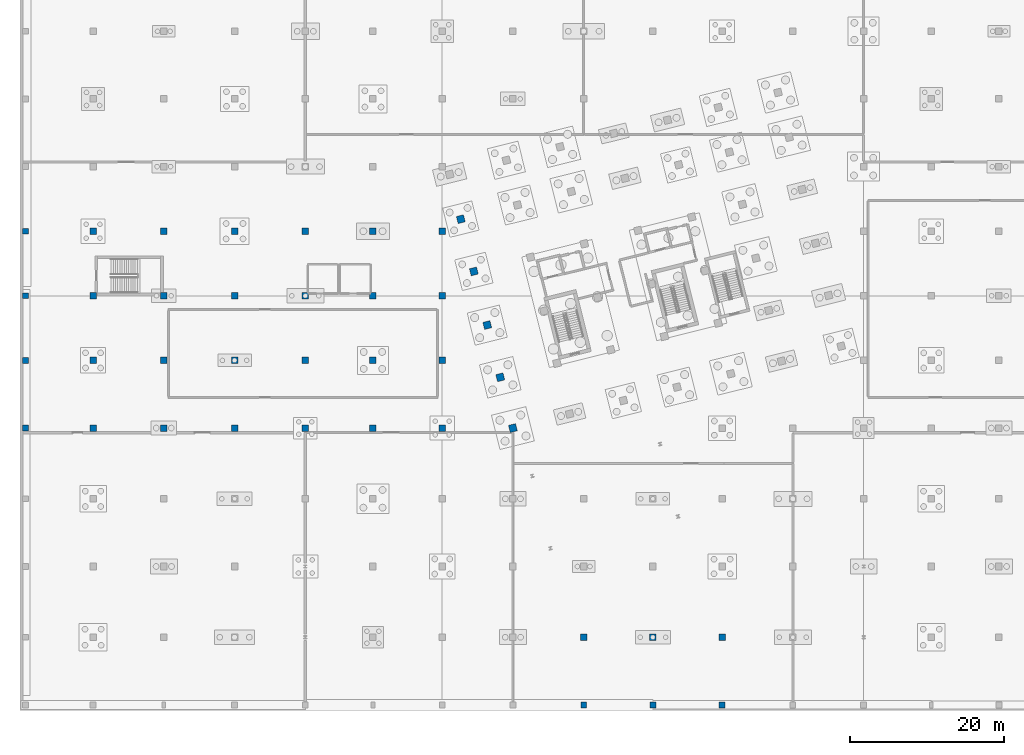
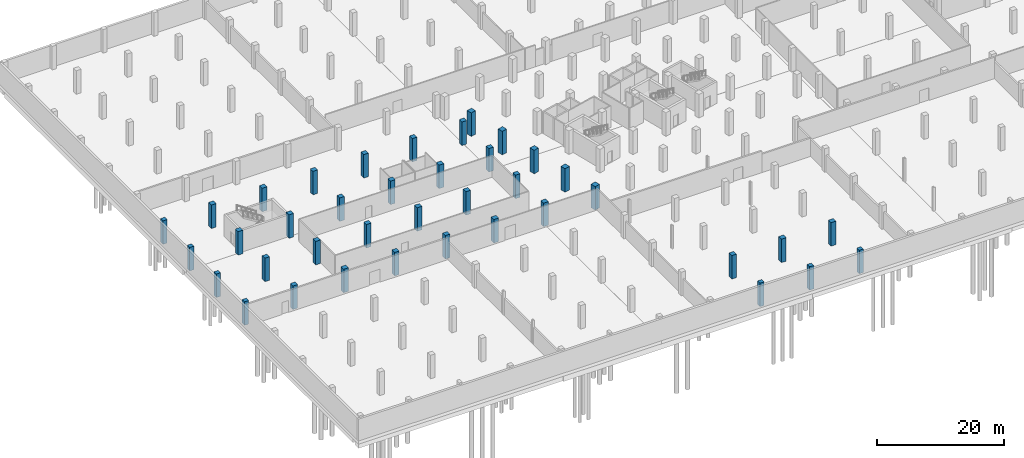
# One storey, part 8 of 29: 39 columns.
"""IFC4 building model written with IfcOpenShell, lengths in metres."""

from ifc_helpers import new_model, si_unit, direction, frame, origin, origin_2d, place, context, subcontext, project, spatial, rectangle, extrude, material, material_profile, profile_set, type_object, element, save


model = new_model("IFC4")

# Units and contexts
model_context = context("Model", 3, precision=1e-05, world=origin(), true_north=direction((0.0, 1.0)))
body_context = subcontext(model_context, "Body", "Model", "MODEL_VIEW")
ifc_project = project(units=[si_unit("LENGTHUNIT", "METRE"), si_unit("AREAUNIT", "SQUARE_METRE"), si_unit("VOLUMEUNIT", "CUBIC_METRE"), si_unit("PLANEANGLEUNIT", "RADIAN"), si_unit("MASSUNIT", "GRAM", prefix="KILO")], contexts=[model_context])

# Site, building, storey
site_placement = place(None, origin())
site = spatial("IfcSite", under=ifc_project, at=site_placement, CompositionType="ELEMENT")
building_placement = place(site_placement, origin())
building = spatial("IfcBuilding", under=site, at=building_placement, Name="Meriwether Solvik Hall", CompositionType="ELEMENT")
storey_placement = place(building_placement, frame((0.0, 0.0, -9.0)))
storey = spatial("IfcBuildingStorey", under=building, at=storey_placement, Name="B02", CompositionType="ELEMENT", Elevation=-9.0)

# Columns
ifc_material_1 = material(Name="Concrete C40/50", Category="concrete")
ifc_material_profile_1 = material_profile(ifc_material_1, rectangle(XDim=0.75, YDim=0.75, at=origin_2d()), Name="RCC-750X750")
ifc_profile_set_1 = profile_set([ifc_material_profile_1], Name="Concrete C40/50")
column_type_1 = type_object("IfcColumnType", Name="COL-RC-750", PredefinedType="COLUMN", material=ifc_profile_set_1)
for number, where, z_axis, x_axis, name in (
    (1, (5.199951171875, 41.199951171875, 0.0), (0.0, 0.0, 1.0), (1.0, 0.0, 0.0), "Podium Column 1/E (B02)"),
    (2, (5.199951171875, 50.0, 0.0), (0.0, 0.0, 1.0), (1.0, 0.0, 0.0), "Podium Column 1/F (B02)"),
    (3, (5.199951171875, 58.39990234375, 0.0), (0.0, 0.0, 1.0), (1.0, 0.0, 0.0), "Podium Column 1/G (B02)"),
    (4, (5.199951171875, 66.800048828125, 0.0), (0.0, 0.0, 1.0), (1.0, 0.0, 0.0), "Podium Column 1/H (B02)"),
    (5, (77.800048828125, 5.199951171875, 0.0), (0.0, 0.0, 1.0), (1.0, 0.0, 0.0), "Podium Column 9/A (B02)"),
    (6, (86.800048828125, 5.199951171875, 0.0), (0.0, 0.0, 1.0), (1.0, 0.0, 0.0), "Podium Column 10/A (B02)"),
    (7, (95.800048828125, 5.199951171875, 0.0), (0.0, 0.0, 1.0), (1.0, 0.0, 0.0), "Podium Column 11/A (B02)"),
):
    element("IfcColumn", number, at=place(storey_placement, frame(where, z_axis=z_axis, x_axis=x_axis)), inside=storey, type_object=column_type_1, Name=name, PredefinedType="COLUMN", context=body_context, shape_type="SweptSolid", body=[
        extrude(rectangle(XDim=0.75, YDim=0.75, at=origin_2d()), origin(), (0.0, 0.0, 1.0), 4.5),
    ])
ifc_material_2 = material(Name="Concrete C40/50", Category="concrete")
ifc_material_profile_2 = material_profile(ifc_material_2, rectangle(XDim=0.85009765625, YDim=0.85009765625, at=origin_2d()), Name="RCC-850X850")
ifc_profile_set_2 = profile_set([ifc_material_profile_2], Name="Concrete C40/50")
column_type_2 = type_object("IfcColumnType", Name="COL-RC-850", PredefinedType="COLUMN", material=ifc_profile_set_2)
for number, where, z_axis, x_axis, name in (
    (8, (14.0, 41.199951171875, 0.0), (0.0, 0.0, 1.0), (1.0, 0.0, 0.0), "Podium Column 2/E (B02)"),
    (9, (14.0, 50.0, 0.0), (0.0, 0.0, 1.0), (1.0, 0.0, 0.0), "Podium Column 2/F (B02)"),
    (10, (14.0, 58.39990234375, 0.0), (0.0, 0.0, 1.0), (1.0, 0.0, 0.0), "Podium Column 2/G (B02)"),
    (11, (14.0, 66.800048828125, 0.0), (0.0, 0.0, 1.0), (1.0, 0.0, 0.0), "Podium Column 2/H (B02)"),
    (12, (23.199951171875, 41.199951171875, 0.0), (0.0, 0.0, 1.0), (1.0, 0.0, 0.0), "Podium Column 3/E (B02)"),
    (13, (23.199951171875, 50.0, 0.0), (0.0, 0.0, 1.0), (1.0, 0.0, 0.0), "Podium Column 3/F (B02)"),
    (14, (23.199951171875, 58.39990234375, 0.0), (0.0, 0.0, 1.0), (1.0, 0.0, 0.0), "Podium Column 3/G (B02)"),
    (15, (23.199951171875, 66.800048828125, 0.0), (0.0, 0.0, 1.0), (1.0, 0.0, 0.0), "Podium Column 3/H (B02)"),
    (16, (32.39990234375, 41.199951171875, 0.0), (0.0, 0.0, 1.0), (1.0, 0.0, 0.0), "Podium Column 4/E (B02)"),
    (17, (32.39990234375, 50.0, 0.0), (0.0, 0.0, 1.0), (1.0, 0.0, 0.0), "Podium Column 4/F (B02)"),
    (18, (32.39990234375, 58.39990234375, 0.0), (0.0, 0.0, 1.0), (1.0, 0.0, 0.0), "Podium Column 4/G (B02)"),
    (19, (32.39990234375, 66.800048828125, 0.0), (0.0, 0.0, 1.0), (1.0, 0.0, 0.0), "Podium Column 4/H (B02)"),
    (20, (41.60009765625, 41.199951171875, 0.0), (0.0, 0.0, 1.0), (1.0, 0.0, 0.0), "Podium Column 5/E (B02)"),
    (21, (41.60009765625, 50.0, 0.0), (0.0, 0.0, 1.0), (1.0, 0.0, 0.0), "Podium Column 5/F (B02)"),
    (22, (41.60009765625, 58.39990234375, 0.0), (0.0, 0.0, 1.0), (1.0, 0.0, 0.0), "Podium Column 5/G (B02)"),
    (23, (41.60009765625, 66.800048828125, 0.0), (0.0, 0.0, 1.0), (1.0, 0.0, 0.0), "Podium Column 5/H (B02)"),
    (24, (50.39990234375, 41.199951171875, 0.0), (0.0, 0.0, 1.0), (1.0, 0.0, 0.0), "Podium Column 6/E (B02)"),
    (25, (50.39990234375, 50.0, 0.0), (0.0, 0.0, 1.0), (1.0, 0.0, 0.0), "Podium Column 6/F (B02)"),
    (26, (50.39990234375, 58.39990234375, 0.0), (0.0, 0.0, 1.0), (1.0, 0.0, 0.0), "Podium Column 6/G (B02)"),
    (27, (50.39990234375, 66.800048828125, 0.0), (0.0, 0.0, 1.0), (1.0, 0.0, 0.0), "Podium Column 6/H (B02)"),
    (28, (59.39990234375, 41.199951171875, 0.0), (0.0, 0.0, 1.0), (1.0, 0.0, 0.0), "Podium Column 7/E (B02)"),
    (29, (59.39990234375, 50.0, 0.0), (0.0, 0.0, 1.0), (1.0, 0.0, 0.0), "Podium Column 7/F (B02)"),
    (30, (59.39990234375, 58.39990234375, 0.0), (0.0, 0.0, 1.0), (1.0, 0.0, 0.0), "Podium Column 7/G (B02)"),
    (31, (59.39990234375, 66.800048828125, 0.0), (0.0, 0.0, 1.0), (1.0, 0.0, 0.0), "Podium Column 7/H (B02)"),
    (32, (77.800048828125, 14.0, 0.0), (0.0, 0.0, 1.0), (1.0, 0.0, 0.0), "Podium Column 9/B (B02)"),
    (33, (86.800048828125, 14.0, 0.0), (0.0, 0.0, 1.0), (1.0, 0.0, 0.0), "Podium Column 10/B (B02)"),
    (34, (95.800048828125, 14.0, 0.0), (0.0, 0.0, 1.0), (1.0, 0.0, 0.0), "Podium Column 11/B (B02)"),
):
    element("IfcColumn", number, at=place(storey_placement, frame(where, z_axis=z_axis, x_axis=x_axis)), inside=storey, type_object=column_type_2, Name=name, PredefinedType="COLUMN", context=body_context, shape_type="SweptSolid", body=[
        extrude(rectangle(XDim=0.85009765625, YDim=0.85009765625, at=origin_2d()), origin(), (0.0, 0.0, 1.0), 4.5),
    ])
ifc_material_3 = material(Name="Concrete C45/55", Category="concrete")
ifc_material_profile_3 = material_profile(ifc_material_3, rectangle(XDim=0.949951171875, YDim=0.949951171875, at=origin_2d()), Name="RCC-950X950")
ifc_profile_set_3 = profile_set([ifc_material_profile_3], Name="Concrete C45/55")
column_type_3 = type_object("IfcColumnType", Name="COL-RC-950", PredefinedType="COLUMN", material=ifc_profile_set_3)
for number, where, z_axis, x_axis, name in (
    (35, (68.60009765625, 41.199951171875, 0.0), (0.0, 0.0, 1.0), (0.970295726276, 0.2419218956, 0.0), "Tower Column T1/TA (B02)"),
    (36, (66.954833984375, 47.798095703125, 0.0), (0.0, 0.0, 1.0), (0.970295726276, 0.2419218956, 0.0), "Tower Column T1/TB (B02)"),
    (37, (65.261474609375, 54.590087890625, 0.0), (0.0, 0.0, 1.0), (0.970295726276, 0.2419218956, 0.0), "Tower Column T1/TC (B02)"),
    (38, (63.51953125, 61.576171875, 0.0), (0.0, 0.0, 1.0), (0.970295726276, 0.2419218956, 0.0), "Tower Column T1/TD (B02)"),
    (39, (61.826171875, 68.3681640625, 0.0), (0.0, 0.0, 1.0), (0.970295726276, 0.2419218956, 0.0), "Tower Column T1/TE (B02)"),
):
    element("IfcColumn", number, at=place(storey_placement, frame(where, z_axis=z_axis, x_axis=x_axis)), inside=storey, type_object=column_type_3, Name=name, PredefinedType="COLUMN", context=body_context, shape_type="SweptSolid", body=[
        extrude(rectangle(XDim=0.949951171875, YDim=0.949951171875, at=origin_2d()), origin(), (0.0, 0.0, 1.0), 4.5),
    ])

save(model, "model.ifc")
